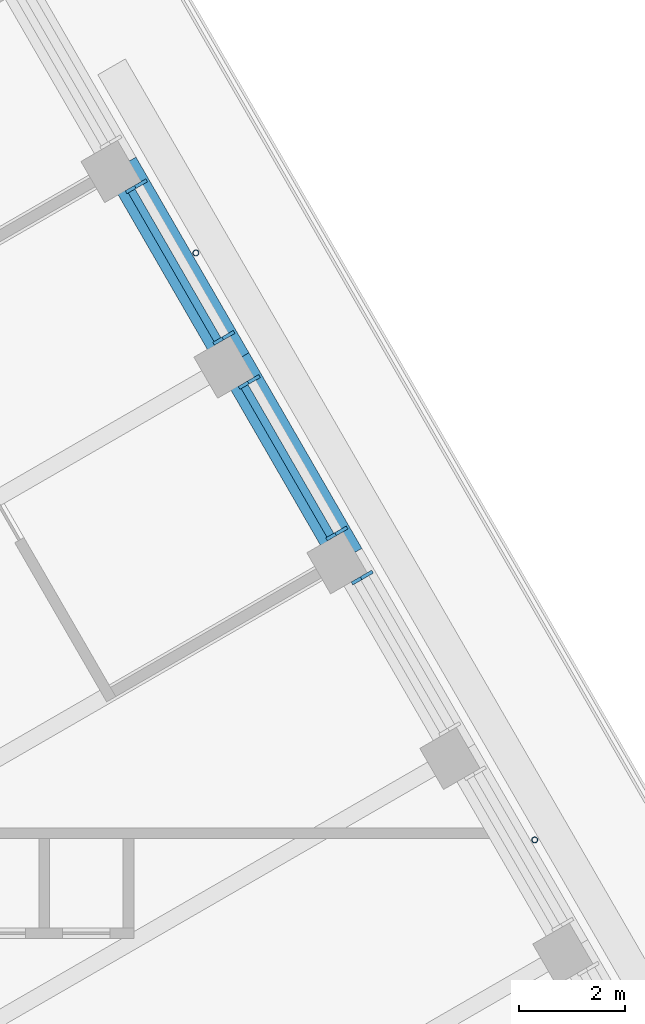
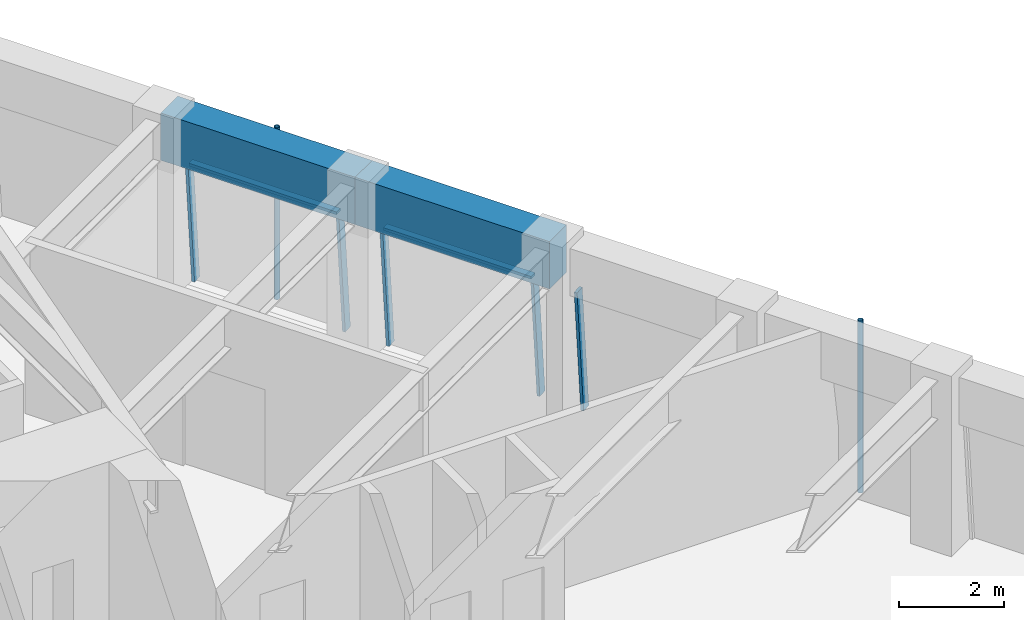
# One storey, part 10 of 19: 9 members, 2 beams, 3 elements without a shape of their own.
"""IFC4 building model written with IfcOpenShell, lengths in metres."""

import ifcopenshell
import ifcopenshell.guid

model = None  # the IFC model being written
_history = None  # IfcOwnerHistory: only IFC2X3 demands one
_inside = {}  # id of a spatial element -> (the spatial element, [elements in it])
_under = {}  # id of a project, library or spatial element -> (it, [spatial elements below it])
_declared = {}  # id of a project -> (the project, [libraries it declares])
_typed = {}  # id of a type object -> (the type object, [elements of that type])
_made_of = {}  # id of a material, layer set ... -> (it, [elements and type objects made of it])


def new_model(schema):
    """Start an empty IFC model of exactly this schema.

    Asked for "IFC4X3", IfcOpenShell would pick the latest addendum, in which some entities
    have other attributes; the version numbers below select the first issue.
    IFC2X3 requires an IfcOwnerHistory on every rooted entity: one is made here for all.
    """
    global model, _history
    if schema == "IFC4X3":
        model = ifcopenshell.file(schema_version=(4, 3, 0, 0))
    else:
        model = ifcopenshell.file(schema=schema)
    _inside.clear()
    _under.clear()
    _declared.clear()
    _typed.clear()
    _made_of.clear()
    _history = None
    if model.schema == "IFC2X3":
        org = make("IfcOrganization", Name="unknown")
        user = make(
            "IfcPersonAndOrganization",
            ThePerson=make("IfcPerson", FamilyName="unknown"),
            TheOrganization=org,
        )
        app = make(
            "IfcApplication",
            ApplicationDeveloper=org,
            Version="unknown",
            ApplicationFullName="unknown",
            ApplicationIdentifier="unknown",
        )
        _history = make(
            "IfcOwnerHistory",
            OwningUser=user,
            OwningApplication=app,
            ChangeAction="ADDED",
            CreationDate=0,
        )
    return model


def make(cls, **values):
    """One entity of the class cls with the attributes given. An attribute that is None is left unset."""
    return model.create_entity(
        cls, **{name: value for name, value in values.items() if value is not None}
    )


def rooted(cls, **values):
    """An entity with a GlobalId (a new one), such as an element, a storey or a relation."""
    return make(cls, GlobalId=ifcopenshell.guid.new(), OwnerHistory=_history, **values)


def si_unit(unit_type, name, prefix=None):
    """IfcSIUnit, for example si_unit("LENGTHUNIT", "METRE", prefix="MILLI")."""
    return make("IfcSIUnit", UnitType=unit_type, Prefix=prefix, Name=name)


def assignment(units):
    """IfcUnitAssignment: the units of a project."""
    return None if units is None else make("IfcUnitAssignment", Units=units)


def point(xyz):
    """IfcCartesianPoint."""
    return None if xyz is None else make("IfcCartesianPoint", Coordinates=xyz)


def direction(xyz):
    """IfcDirection."""
    return None if xyz is None else make("IfcDirection", DirectionRatios=xyz)


def frame(location, z_axis=None, x_axis=None):
    """IfcAxis2Placement3D, a coordinate frame: its origin and axes. An axis left out is left unset."""
    return make(
        "IfcAxis2Placement3D",
        Location=point(location),
        Axis=direction(z_axis),
        RefDirection=direction(x_axis),
    )


def frame_2d(location, x_axis=None):
    """IfcAxis2Placement2D, a coordinate frame in the plane: its origin and x axis."""
    return make(
        "IfcAxis2Placement2D", Location=point(location), RefDirection=direction(x_axis)
    )


def origin():
    """The frame at (0, 0, 0) with its axes left unset."""
    return frame((0.0, 0.0, 0.0))


def origin_2d():
    """The frame at (0, 0) in the plane with its x axis left unset."""
    return frame_2d((0.0, 0.0))


def place(relative_to, where):
    """IfcLocalPlacement: puts the frame where relative to a parent placement (None: the world)."""
    return make(
        "IfcLocalPlacement", PlacementRelTo=relative_to, RelativePlacement=where
    )


def context(
    kind, dimensions, precision=None, world=None, true_north=None, identifier=None
):
    """IfcGeometricRepresentationContext, for example the 3D "Model" context."""
    return make(
        "IfcGeometricRepresentationContext",
        ContextIdentifier=identifier,
        ContextType=kind,
        CoordinateSpaceDimension=dimensions,
        Precision=precision,
        WorldCoordinateSystem=world,
        TrueNorth=true_north,
    )


def subcontext(parent, identifier, kind, view, scale=None):
    """IfcGeometricRepresentationSubContext, for example "Body" below "Model"."""
    return make(
        "IfcGeometricRepresentationSubContext",
        ContextIdentifier=identifier,
        ContextType=kind,
        ParentContext=parent,
        TargetScale=scale,
        TargetView=view,
    )


def project(units=None, contexts=None):
    """IfcProject with its units and contexts."""
    return rooted(
        "IfcProject",
        Name="project",
        RepresentationContexts=contexts,
        UnitsInContext=assignment(units),
    )


def spatial(cls, under=None, at=None, **own):
    """A site, building, storey or space (cls), placed at a placement, below another one or the project."""
    s = rooted(cls, ObjectPlacement=at, **own)
    if under is not None:
        _under.setdefault(under.id(), (under, []))[1].append(s)
    return s


def profile(cls, at=None, kind="AREA", **sizes):
    """A parametric profile (cls). Its sizes go by their IFC names, for example OverallWidth=200.0."""
    return make(cls, ProfileType=kind, Position=at, **sizes)


def rectangle(**sizes):
    """IfcRectangleProfileDef."""
    return profile("IfcRectangleProfileDef", **sizes)


def hollow_circle(**sizes):
    """IfcCircleHollowProfileDef."""
    return profile("IfcCircleHollowProfileDef", **sizes)


def extrude(swept, where, along, depth):
    """IfcExtrudedAreaSolid: the profile swept, set in the frame where, extruded along a direction by depth."""
    return make(
        "IfcExtrudedAreaSolid",
        SweptArea=swept,
        Position=where,
        ExtrudedDirection=direction(along),
        Depth=depth,
    )


def shape(context_of_items, identifier, shape_type, items):
    """IfcShapeRepresentation: the items that make up one representation, for example the "Body"."""
    return make(
        "IfcShapeRepresentation",
        ContextOfItems=context_of_items,
        RepresentationIdentifier=identifier,
        RepresentationType=shape_type,
        Items=items,
    )


def material(Name=None, Category=None):
    """IfcMaterial."""
    return make("IfcMaterial", Name=Name, Category=Category)


def material_profile(
    of_material, cross_section, Name=None, Category=None, Priority=None
):
    """IfcMaterialProfile: a cross section and its material."""
    return make(
        "IfcMaterialProfile",
        Name=Name,
        Material=of_material,
        Profile=cross_section,
        Priority=Priority,
        Category=Category,
    )


def profile_set(profiles, Name=None, composite=None):
    """IfcMaterialProfileSet."""
    return make(
        "IfcMaterialProfileSet",
        Name=Name,
        MaterialProfiles=profiles,
        CompositeProfile=composite,
    )


def made_of(thing, what):
    """Note that an element or type object is made of a material, layer set ...; save() writes the relation."""
    if what is not None:
        _made_of.setdefault(what.id(), (what, []))[1].append(thing)
    return thing


def type_object(cls, material=None, **own):
    """A type object (cls), such as IfcWallType, which elements share."""
    return made_of(rooted(cls, **own), material)


def element(
    cls,
    number,
    at=None,
    inside=None,
    cuts=None,
    type_object=None,
    material=None,
    context=None,
    identifier="Body",
    shape_type=None,
    held_by="IfcProductDefinitionShape",
    body=None,
    shapes=None,
    **own,
):
    """One element of the class cls, such as IfcWall. Its Tag is "e" and its number.

    at: its placement. inside: the storey or other place that contains it. cuts: it is an
    opening in that element (IfcRelVoidsElement). A single representation is given by context,
    identifier, shape_type and body (its items); several are given by shapes. held_by: the class
    of the entity that holds the representations. save() writes the other relations.
    """
    e = rooted(cls, Tag="e%d" % number, ObjectPlacement=at, **own)
    if body is not None:
        shapes = [shape(context, identifier, shape_type, body)]
    if shapes is not None:
        e.Representation = make(held_by, Representations=shapes)
    if inside is not None:
        _inside.setdefault(inside.id(), (inside, []))[1].append(e)
    if cuts is not None:
        rooted(
            "IfcRelVoidsElement", RelatingBuildingElement=cuts, RelatedOpeningElement=e
        )
    if type_object is not None:
        _typed.setdefault(type_object.id(), (type_object, []))[1].append(e)
    return made_of(e, material)


def aggregate(whole, parts):
    """IfcRelAggregates: a whole, such as a stair, and the parts it consists of."""
    return rooted("IfcRelAggregates", RelatingObject=whole, RelatedObjects=parts)


def save(model, path):
    """Write the relations noted so far, then the file.

    IfcRelAggregates (storeys below a building ...), IfcRelContainedInSpatialStructure (elements
    in a storey), IfcRelDefinesByType, IfcRelAssociatesMaterial and IfcRelDeclares: one each for
    every whole, place, type object, material and project.
    """
    for whole, parts in _under.values():
        aggregate(whole, parts)
    for where, things in _inside.values():
        rooted(
            "IfcRelContainedInSpatialStructure",
            RelatedElements=things,
            RelatingStructure=where,
        )
    for kind, things in _typed.values():
        rooted("IfcRelDefinesByType", RelatedObjects=things, RelatingType=kind)
    for what, things in _made_of.values():
        rooted("IfcRelAssociatesMaterial", RelatedObjects=things, RelatingMaterial=what)
    for by, libraries in _declared.values():
        rooted("IfcRelDeclares", RelatingContext=by, RelatedDefinitions=libraries)
    model.write(path)


model = new_model("IFC4")

# Units and contexts
model_context = context("Model", 3, precision=1e-05, world=origin(), true_north=direction((0.0, 1.0)))
body_context = subcontext(model_context, "Body", "Model", "MODEL_VIEW")
ifc_project = project(units=[si_unit("LENGTHUNIT", "METRE"), si_unit("AREAUNIT", "SQUARE_METRE"), si_unit("VOLUMEUNIT", "CUBIC_METRE"), si_unit("PLANEANGLEUNIT", "RADIAN"), si_unit("MASSUNIT", "GRAM", prefix="KILO")], contexts=[model_context])

# Site, building, storey
site_placement = place(None, origin())
site = spatial("IfcSite", under=ifc_project, at=site_placement, CompositionType="ELEMENT")
building_placement = place(site_placement, origin())
building = spatial("IfcBuilding", under=site, at=building_placement, Name="Tarfa Lantern Tower", CompositionType="ELEMENT")
storey_placement = place(building_placement, frame((0.0, 0.0, 357.699951171875)))
storey = spatial("IfcBuildingStorey", under=building, at=storey_placement, Name="L81", CompositionType="ELEMENT", Elevation=357.699951171875)

# Curtain wall, member
ifc_material_1 = material(Name="Aluminium framed curtain wall", Category="aluminium")
curtain_wall_type = type_object("IfcCurtainWallType", Name="CW4 CANTED GLAZING EXECUTIVE ZONE 2900", PredefinedType="USERDEFINED", material=ifc_material_1)
curtain_wall_1_placement = place(storey_placement, origin())
curtain_wall_1 = element("IfcCurtainWall", 1, at=curtain_wall_1_placement, inside=storey, type_object=curtain_wall_type, Name="CW4 NE L81", ObjectType="CURTAIN WALL", PredefinedType="USERDEFINED")
ifc_material_2 = material(Name="Aluminium mullion", Category="aluminium")
ifc_material_profile_1 = material_profile(ifc_material_2, rectangle(XDim=0.06494140625, YDim=0.199951171875, at=origin_2d()), Name="AL MULLION 65x200")
ifc_profile_set_1 = profile_set([ifc_material_profile_1], Name="Aluminium mullion")
member_type_1 = type_object("IfcMemberType", Name="CWM1 MULLION 65x200", PredefinedType="MULLION", material=ifc_profile_set_1)
member_1_placement = place(storey_placement, frame((23.32080078125, 12.9072265625, 0.0), z_axis=(-0.074393603155, -0.042941967097, 0.996303959277), x_axis=(0.499919672301, -0.866071776036, 0.0)))
member_1 = element("IfcMember", 2, at=member_1_placement, type_object=member_type_1, Name="CW4 mullion 2", PredefinedType="MULLION", context=body_context, shape_type="SweptSolid", body=[
    extrude(rectangle(XDim=0.06494140625, YDim=0.199951171875, at=origin_2d()), origin(), (0.0, 0.0, 1.0), 2.910888671875),
])
aggregate(curtain_wall_1, [member_1])

# Curtain wall, members
curtain_wall_2_placement = place(storey_placement, origin())
curtain_wall_2 = element("IfcCurtainWall", 3, at=curtain_wall_2_placement, inside=storey, type_object=curtain_wall_type, Name="CW4 NE L81", ObjectType="CURTAIN WALL", PredefinedType="USERDEFINED")
member_2_placement = place(storey_placement, frame((22.83837890625, 13.742919921875, 0.0), z_axis=(-0.074393603155, -0.042941967097, 0.996303959277), x_axis=(0.499919672301, -0.866071776036, 0.0)))
member_2 = element("IfcMember", 4, at=member_2_placement, type_object=member_type_1, Name="CW4 mullion 1", PredefinedType="MULLION", context=body_context, shape_type="SweptSolid", body=[
    extrude(rectangle(XDim=0.06494140625, YDim=0.199951171875, at=origin_2d()), origin(), (0.0, 0.0, 1.0), 2.910888671875),
])
member_3_placement = place(storey_placement, frame((21.179931640625, 16.615478515625, 0.0), z_axis=(-0.074393603155, -0.042941967097, 0.996303959277), x_axis=(0.499919672301, -0.866071776036, 0.0)))
member_3 = element("IfcMember", 5, at=member_3_placement, type_object=member_type_1, Name="CW4 mullion 2", PredefinedType="MULLION", context=body_context, shape_type="SweptSolid", body=[
    extrude(rectangle(XDim=0.06494140625, YDim=0.199951171875, at=origin_2d()), origin(), (0.0, 0.0, 1.0), 2.910888671875),
])

curtain_wall_3_placement = place(storey_placement, origin())
curtain_wall_3 = element("IfcCurtainWall", 6, at=curtain_wall_3_placement, inside=storey, type_object=curtain_wall_type, Name="CW4 NE L81", ObjectType="CURTAIN WALL", PredefinedType="USERDEFINED")
member_4_placement = place(storey_placement, frame((20.697265625, 17.451171875, 0.0), z_axis=(-0.074393603155, -0.042941967097, 0.996303959277), x_axis=(0.499919672301, -0.866071776036, 0.0)))
member_4 = element("IfcMember", 7, at=member_4_placement, type_object=member_type_1, Name="CW4 mullion 1", PredefinedType="MULLION", context=body_context, shape_type="SweptSolid", body=[
    extrude(rectangle(XDim=0.06494140625, YDim=0.199951171875, at=origin_2d()), origin(), (0.0, 0.0, 1.0), 2.910888671875),
])
member_5_placement = place(storey_placement, frame((19.038818359375, 20.32373046875, 0.0), z_axis=(-0.074393603155, -0.042941967097, 0.996303959277), x_axis=(0.499919672301, -0.866071776036, 0.0)))
member_5 = element("IfcMember", 8, at=member_5_placement, type_object=member_type_1, Name="CW4 mullion 2", PredefinedType="MULLION", context=body_context, shape_type="SweptSolid", body=[
    extrude(rectangle(XDim=0.06494140625, YDim=0.199951171875, at=origin_2d()), origin(), (0.0, 0.0, 1.0), 2.910888671875),
])

# Member
ifc_material_3 = material(Name="Aluminium transom", Category="aluminium")
ifc_material_profile_2 = material_profile(ifc_material_3, rectangle(XDim=0.14990234375, YDim=0.06494140625, at=origin_2d()), Name="AL TRANSOM 150x65")
ifc_profile_set_2 = profile_set([ifc_material_profile_2], Name="Aluminium transom")
member_type_2 = type_object("IfcMemberType", Name="CWT1 TRANSOM 150x65", PredefinedType="USERDEFINED", material=ifc_profile_set_2)
member_6_placement = place(storey_placement, frame((22.60791015625, 13.6474609375, 2.867431640625), z_axis=(-0.500014901547, 0.866016800201, 0.0), x_axis=(-0.866016800201, -0.500014901547, 0.0)))
member_6 = element("IfcMember", 9, at=member_6_placement, type_object=member_type_2, Name="CW4 transom 1.2", ObjectType="TRANSOM", PredefinedType="USERDEFINED", context=body_context, shape_type="SweptSolid", body=[
    extrude(rectangle(XDim=0.14990234375, YDim=0.06494140625, at=origin_2d()), origin(), (0.0, 0.0, 1.0), 3.251953125),
])

aggregate(curtain_wall_2, [member_2, member_3, member_6])

member_7_placement = place(storey_placement, frame((20.467041015625, 17.355712890625, 2.867431640625), z_axis=(-0.499982393232, 0.866035568818, 0.0), x_axis=(-0.866035568818, -0.499982393232, 0.0)))
member_7 = element("IfcMember", 10, at=member_7_placement, type_object=member_type_2, Name="CW4 transom 1.2", ObjectType="TRANSOM", PredefinedType="USERDEFINED", context=body_context, shape_type="SweptSolid", body=[
    extrude(rectangle(XDim=0.14990234375, YDim=0.06494140625, at=origin_2d()), origin(), (0.0, 0.0, 1.0), 3.251953125),
])

aggregate(curtain_wall_3, [member_4, member_5, member_7])

# Beams
ifc_material_4 = material(Name="Concrete C80/95", Category="concrete")
ifc_material_profile_3 = material_profile(ifc_material_4, rectangle(XDim=0.64990234375, YDim=1.10009765625, at=origin_2d()), Name="RC 650x1100")
ifc_profile_set_3 = profile_set([ifc_material_profile_3], Name="Concrete C80/95")
beam_type = type_object("IfcBeamType", Name="EB4 RC 650x1100", PredefinedType="SPANDREL", material=ifc_profile_set_3)
for number, where, z_axis, x_axis, name in (
    (11, (22.923583984375, 13.235107421875, 3.449951171875), (-0.499984039138, 0.866034618596, 0.0), (-0.866034618596, -0.499984039138, 0.0), "Edge beam NE3"),
    (12, (20.78271484375, 16.943359375, 3.449951171875), (-0.500026801138, 0.866009929587, 0.0), (-0.866009929587, -0.500026801138, 0.0), "Edge beam NE4"),
):
    element("IfcBeam", number, at=place(storey_placement, frame(where, z_axis=z_axis, x_axis=x_axis)), inside=storey, type_object=beam_type, Name=name, PredefinedType="SPANDREL", context=body_context, shape_type="SweptSolid", body=[
        extrude(rectangle(XDim=0.64990234375, YDim=1.10009765625, at=origin_2d()), origin(), (0.0, 0.0, 1.0), 4.281982421875),
    ])

# Members
ifc_material_5 = material(Name="Steel S355", Category="steel")
ifc_material_profile_4 = material_profile(ifc_material_5, hollow_circle(Radius=0.05712890625, WallThickness=0.00634765625, at=origin_2d()), Name="CHS114.3x6.3")
ifc_profile_set_4 = profile_set([ifc_material_profile_4], Name="Steel S355")
member_type_3 = type_object("IfcMemberType", Name="TR1 GREEN WALL TRELLIS CHS114.3x6.3", PredefinedType="USERDEFINED", material=ifc_profile_set_4)
for number, where, z_axis, x_axis, name in (
    (13, (26.481689453125, 7.87255859375, 0.0), (0.0, 0.0, 1.0), (1.0, 0.0, 0.0), "Trellis post NE 1"),
    (14, (20.05859375, 18.99755859375, 0.0), (0.0, 0.0, 1.0), (1.0, 0.0, 0.0), "Trellis post NE 2"),
):
    element("IfcMember", number, at=place(storey_placement, frame(where, z_axis=z_axis, x_axis=x_axis)), inside=storey, type_object=member_type_3, Name=name, ObjectType="TRELLIS", PredefinedType="USERDEFINED", context=body_context, shape_type="SweptSolid", body=[
        extrude(hollow_circle(Radius=0.05712890625, WallThickness=0.00634765625, at=origin_2d()), origin(), (0.0, 0.0, 1.0), 4.0),
    ])

save(model, "model.ifc")
